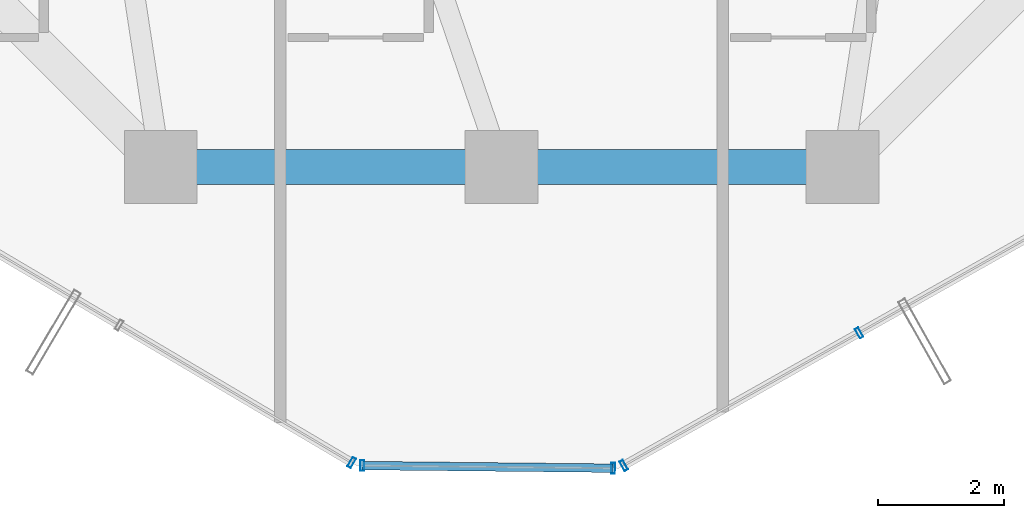
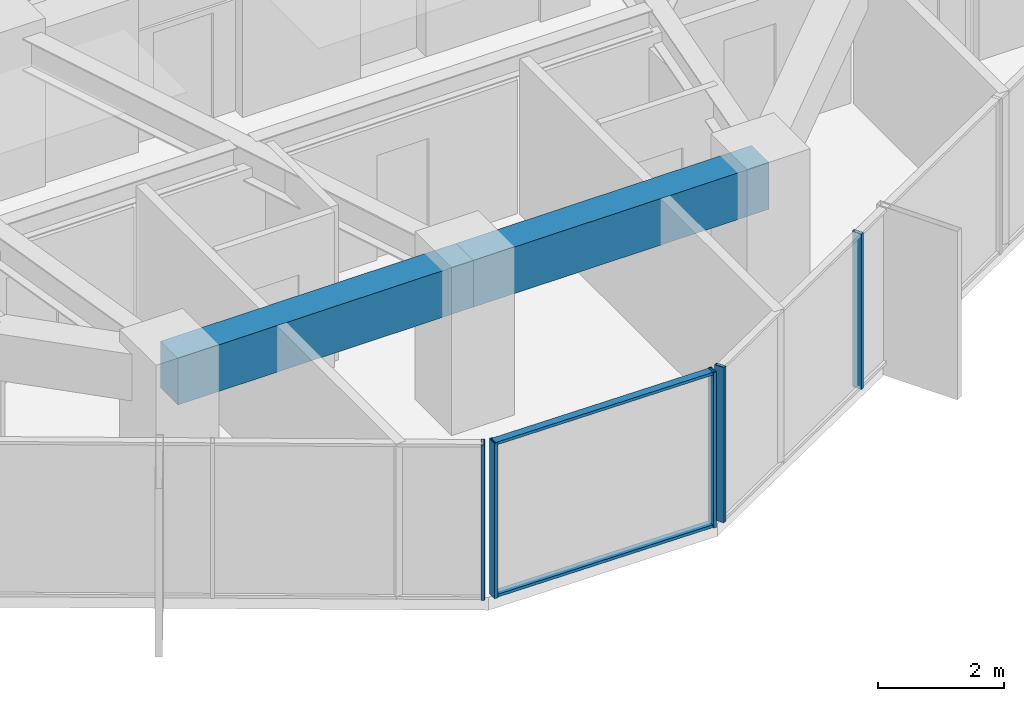
# One storey, part 6 of 30: 7 members, 2 beams, 3 elements without a shape of their own.
"""IFC4 building model written with IfcOpenShell, lengths in metres."""

from ifc_helpers import new_model, si_unit, direction, frame, origin, origin_2d, place, context, subcontext, project, spatial, rectangle, hollow_rectangle, extrude, source, transform, mapped, material, layer, layer_set, material_profile, profile_set, type_object, element, aggregate, save


model = new_model("IFC4")

# Units and contexts
model_context = context("Model", 3, precision=1e-05, world=origin(), true_north=direction((0.0, 1.0)))
body_context = subcontext(model_context, "Body", "Model", "MODEL_VIEW")
ifc_project = project(units=[si_unit("LENGTHUNIT", "METRE"), si_unit("AREAUNIT", "SQUARE_METRE"), si_unit("VOLUMEUNIT", "CUBIC_METRE"), si_unit("PLANEANGLEUNIT", "RADIAN"), si_unit("MASSUNIT", "GRAM", prefix="KILO")], contexts=[model_context])

# Site, building, storey
site_placement = place(None, origin())
site = spatial("IfcSite", under=ifc_project, at=site_placement, CompositionType="ELEMENT")
building_placement = place(site_placement, origin())
building = spatial("IfcBuilding", under=site, at=building_placement, Name="Veraguas Prism Commons", CompositionType="ELEMENT")
storey_placement = place(building_placement, frame((0.0, 0.0, 126.25)))
storey = spatial("IfcBuildingStorey", under=building, at=storey_placement, Name="L35", CompositionType="ELEMENT", Elevation=126.25)

# Beams
ifc_material_1 = material(Name="Concrete C50/60", Category="concrete")
ifc_material_profile_1 = material_profile(ifc_material_1, rectangle(XDim=0.550048828125, YDim=0.89990234375, at=origin_2d()), Name="RC550X900")
ifc_profile_set_1 = profile_set([ifc_material_profile_1], Name="Concrete C50/60")
beam_type = type_object("IfcBeamType", Name="Perimeter Spandrel Lower RC 550x900", PredefinedType="SPANDREL", material=ifc_profile_set_1)
for number, where, z_axis, x_axis, name in (
    (1, (18.60009765625, 7.800048828125, 2.550048828125), (1.0, 0.0, 0.0), (0.0, 1.0, 0.0), "Perimeter Spandrel Beam L35-SP10"),
    (2, (24.0, 7.800048828125, 2.550048828125), (1.0, 0.0, 0.0), (0.0, 1.0, 0.0), "Perimeter Spandrel Beam L35-SP11"),
):
    element("IfcBeam", number, at=place(storey_placement, frame(where, z_axis=z_axis, x_axis=x_axis)), inside=storey, type_object=beam_type, Name=name, PredefinedType="SPANDREL", context=body_context, shape_type="SweptSolid", body=[
        extrude(rectangle(XDim=0.550048828125, YDim=0.89990234375, at=origin_2d()), origin(), (0.0, 0.0, 1.0), 5.39990234375),
    ])

# Curtain wall, member
ifc_material_2 = material(Name="Anodised aluminium EN AW-6063 T6", Category="aluminium")
ifc_layer = layer(ifc_material_2, 0.169921875, Name="Unitised Flush Curtain Wall Zone 2", Category="aluminium")
ifc_layer_set = layer_set([ifc_layer], Name="Anodised aluminium EN AW-6063 T6")
curtain_wall_type = type_object("IfcCurtainWallType", Name="Unitised Flush Curtain Wall Zone 2", PredefinedType="NOTDEFINED", material=ifc_layer_set)
curtain_wall_1_placement = place(storey_placement, origin())
curtain_wall_1 = element("IfcCurtainWall", 3, at=curtain_wall_1_placement, inside=storey, type_object=curtain_wall_type, Name="Tower Facade Curtain Wall L35-F4", PredefinedType="NOTDEFINED")
ifc_material_profile_2 = material_profile(ifc_material_2, hollow_rectangle(XDim=0.06005859375, YDim=0.169921875, WallThickness=0.00390625, at=origin_2d()), Name="AL60X170X4")
ifc_profile_set_2 = profile_set([ifc_material_profile_2], Name="Anodised aluminium EN AW-6063 T6")
member_type_1 = type_object("IfcMemberType", Name="Curtain Wall Mullion Lower AL 60x170x4", PredefinedType="MULLION", material=ifc_profile_set_2)
shared_shape_1 = source(origin(), body_context, "Body", "SweptSolid", [
    extrude(hollow_rectangle(XDim=0.06005859375, YDim=0.169921875, WallThickness=0.00390625, at=origin_2d()), origin(), (0.0, 0.0, 1.0), 3.0),
])
member_1_placement = place(storey_placement, frame((21.626708984375, 3.11767578125, 0.0), z_axis=(0.0, 0.0, 1.0), x_axis=(0.860742027004, -0.50904141575, 0.0)))
member_1 = element("IfcMember", 4, at=member_1_placement, type_object=member_type_1, Name="CW-Z2 Mullion 5", PredefinedType="MULLION", context=body_context, shape_type="MappedRepresentation", body=[
    mapped(shared_shape_1, transform((0.0, 0.0, 0.0), scale=1.0)),
])
aggregate(curtain_wall_1, [member_1])

# Curtain wall, members
curtain_wall_2_placement = place(storey_placement, origin())
curtain_wall_2 = element("IfcCurtainWall", 5, at=curtain_wall_2_placement, inside=storey, type_object=curtain_wall_type, Name="Tower Facade Curtain Wall L35-F5", PredefinedType="NOTDEFINED")
member_2_placement = place(storey_placement, frame((25.935546875, 3.072509765625, 0.0), z_axis=(0.0, 0.0, 1.0), x_axis=(0.871214667908, 0.490902233059, 0.0)))
member_2 = element("IfcMember", 6, at=member_2_placement, type_object=member_type_1, Name="CW-Z2 Mullion 1", PredefinedType="MULLION", context=body_context, shape_type="MappedRepresentation", body=[
    mapped(shared_shape_1, transform((0.0, 0.0, 0.0), scale=1.0)),
])
member_3_placement = place(storey_placement, frame((29.6630859375, 5.1728515625, 0.0), z_axis=(0.0, 0.0, 1.0), x_axis=(0.871214667908, 0.490902233059, 0.0)))
member_3 = element("IfcMember", 7, at=member_3_placement, type_object=member_type_1, Name="CW-Z2 Mullion 2", PredefinedType="MULLION", context=body_context, shape_type="MappedRepresentation", body=[
    mapped(shared_shape_1, transform((0.0, 0.0, 0.0), scale=1.0)),
])
aggregate(curtain_wall_2, [member_2, member_3])

curtain_wall_3_placement = place(storey_placement, origin())
curtain_wall_3 = element("IfcCurtainWall", 8, at=curtain_wall_3_placement, inside=storey, type_object=curtain_wall_type, Name="Chamfer Curtain Wall L35-C5", PredefinedType="NOTDEFINED")
member_4_placement = place(storey_placement, frame((21.794189453125, 3.07080078125, 0.0), z_axis=(0.0, 0.0, 1.0), x_axis=(0.999945004752, -0.010487491217, 0.0)))
member_4 = element("IfcMember", 9, at=member_4_placement, type_object=member_type_1, Name="CW-Z2 Mullion 1", PredefinedType="MULLION", context=body_context, shape_type="MappedRepresentation", body=[
    mapped(shared_shape_1, transform((0.0, 0.0, 0.0), scale=1.0)),
])
member_5_placement = place(storey_placement, frame((25.76708984375, 3.029296875, 0.0), z_axis=(0.0, 0.0, 1.0), x_axis=(0.999945004752, -0.010487491217, 0.0)))
member_5 = element("IfcMember", 10, at=member_5_placement, type_object=member_type_1, Name="CW-Z2 Mullion 2", PredefinedType="MULLION", context=body_context, shape_type="MappedRepresentation", body=[
    mapped(shared_shape_1, transform((0.0, 0.0, 0.0), scale=1.0)),
])
ifc_material_profile_3 = material_profile(ifc_material_2, hollow_rectangle(XDim=0.054931640625, YDim=0.135009765625, WallThickness=0.0029296875, at=origin_2d()), Name="AL55X135X3")
ifc_profile_set_3 = profile_set([ifc_material_profile_3], Name="Anodised aluminium EN AW-6063 T6")
member_type_2 = type_object("IfcMemberType", Name="Curtain Wall Transom Standard AL 55x135x3", PredefinedType="USERDEFINED", material=ifc_profile_set_3)
shared_shape_2 = source(origin(), body_context, "Body", "SweptSolid", [
    extrude(hollow_rectangle(XDim=0.054931640625, YDim=0.135009765625, WallThickness=0.0029296875, at=origin_2d()), origin(), (0.0, 0.0, 1.0), 3.97314453125),
])
member_6_placement = place(storey_placement, frame((21.794189453125, 3.07080078125, 0.027587890625), z_axis=(0.999945437149, -0.010446182284, 0.0), x_axis=(0.0, 0.0, 1.0)))
member_6 = element("IfcMember", 11, at=member_6_placement, type_object=member_type_2, Name="CW-Z2 Transom 1", ObjectType="TRANSOM", PredefinedType="USERDEFINED", context=body_context, shape_type="MappedRepresentation", body=[
    mapped(shared_shape_2, transform((0.0, 0.0, 0.0), scale=1.0)),
])
member_7_placement = place(storey_placement, frame((21.794189453125, 3.07080078125, 2.972412109375), z_axis=(0.999945437149, -0.010446182284, 0.0), x_axis=(0.0, 0.0, 1.0)))
member_7 = element("IfcMember", 12, at=member_7_placement, type_object=member_type_2, Name="CW-Z2 Transom 2", ObjectType="TRANSOM", PredefinedType="USERDEFINED", context=body_context, shape_type="MappedRepresentation", body=[
    mapped(shared_shape_2, transform((0.0, 0.0, 0.0), scale=1.0)),
])
aggregate(curtain_wall_3, [member_4, member_5, member_6, member_7])

save(model, "model.ifc")
